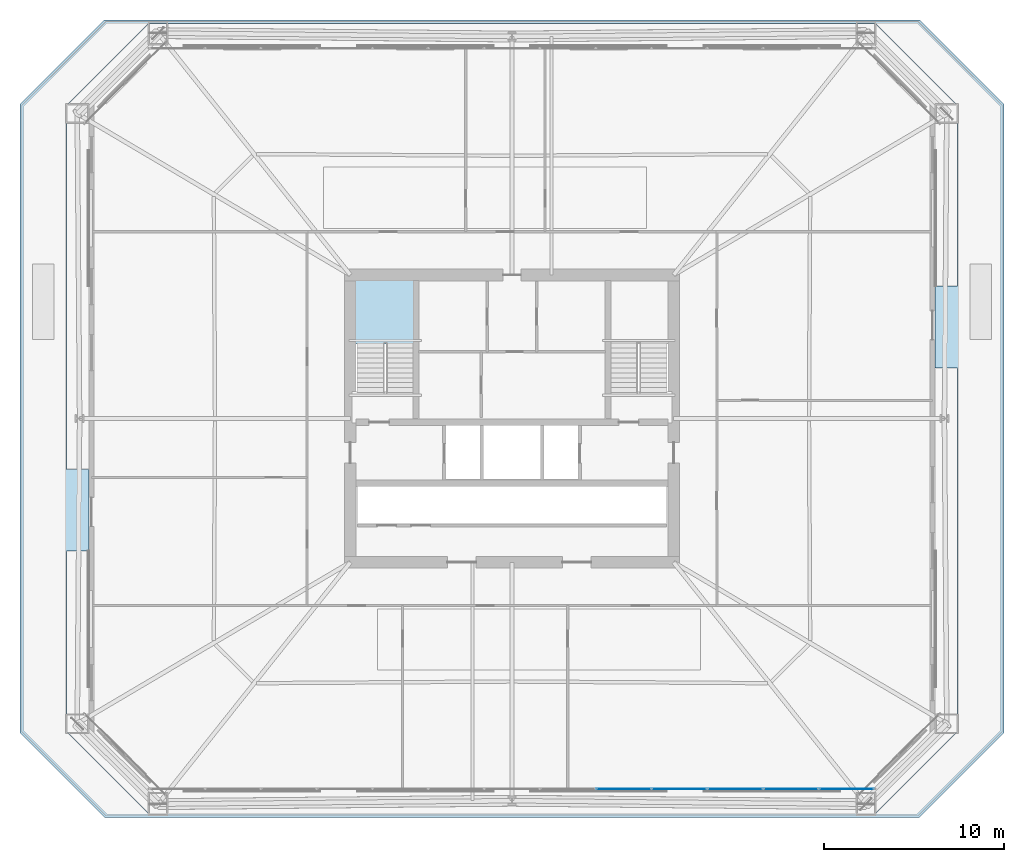
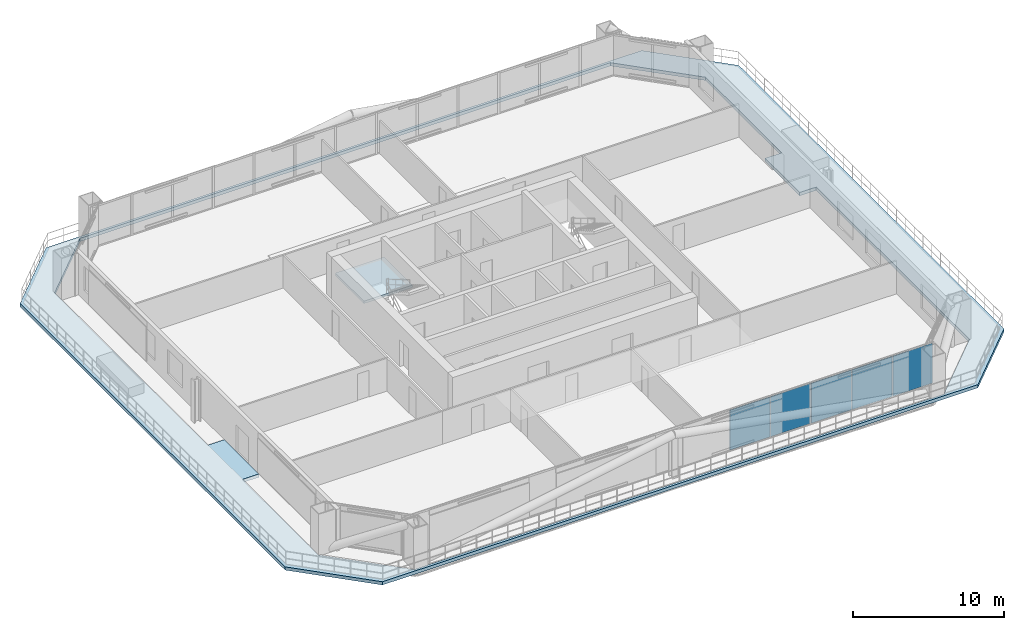
# One storey, part 27 of 34: 5 plates, 2 slabs, 2 elements without a shape of their own.
"""IFC4 building model written with IfcOpenShell, lengths in metres."""

from ifc_helpers import new_model, si_unit, direction, frame, origin, origin_2d, place, context, subcontext, project, spatial, polyline, rectangle, outline, extrude, material, layer, layer_set, type_object, element, aggregate, save


model = new_model("IFC4")

# Units and contexts
model_context = context("Model", 3, precision=1e-05, world=origin(), true_north=direction((0.0, 1.0)))
body_context = subcontext(model_context, "Body", "Model", "MODEL_VIEW")
ifc_project = project(units=[si_unit("LENGTHUNIT", "METRE"), si_unit("AREAUNIT", "SQUARE_METRE"), si_unit("VOLUMEUNIT", "CUBIC_METRE"), si_unit("PLANEANGLEUNIT", "RADIAN"), si_unit("MASSUNIT", "GRAM", prefix="KILO")], contexts=[model_context])

# Site, building, storey
site_placement = place(None, origin())
site = spatial("IfcSite", under=ifc_project, at=site_placement, CompositionType="ELEMENT")
building_placement = place(site_placement, origin())
building = spatial("IfcBuilding", under=site, at=building_placement, Name="Caelvoria Tower", CompositionType="ELEMENT")
storey_placement = place(building_placement, frame((0.0, 0.0, 28.0)))
storey = spatial("IfcBuildingStorey", under=building, at=storey_placement, Name="L06", CompositionType="ELEMENT", Elevation=28.0)

# Curtain wall, plates
ifc_material_1 = material(Name="Anodised Bronze Aluminium and Low-E Glass", Category="aluminium")
ifc_layer_1 = layer(ifc_material_1, 0.18505859375, Name="Anodised Bronze Aluminium and Low-E Glass")
ifc_layer_set_1 = layer_set([ifc_layer_1], Name="CW System 2 Lower Tower Bronze Unitised Facade - Anodised Bronze Aluminium and Low-E Glass")
curtain_wall_type = type_object("IfcCurtainWallType", Name="CW System 2 Lower Tower Bronze Unitised Facade", PredefinedType="NOTDEFINED", material=ifc_layer_set_1)
curtain_wall_placement = place(storey_placement, origin())
curtain_wall = element("IfcCurtainWall", 1, at=curtain_wall_placement, inside=storey, type_object=curtain_wall_type, Name="CW-02 Curtain Wall L06-E0", PredefinedType="NOTDEFINED")
ifc_material_2 = material(Name="Anodised Bronze Insulated Aluminium Panel", Category="aluminium")
ifc_layer_2 = layer(ifc_material_2, 0.031982421875, Name="Anodised Bronze Insulated Aluminium Panel")
ifc_layer_set_2 = layer_set([ifc_layer_2], Name="Insulated Bronze Spandrel Curtain Panel 32 - Anodised Bronze Insulated Aluminium Panel")
plate_type = type_object("IfcPlateType", Name="Insulated Bronze Spandrel Curtain Panel 32", PredefinedType="CURTAIN_PANEL", material=ifc_layer_set_2)
plate_1_placement = place(storey_placement, frame((52.21533203125, 11.3798828125, 0.06494140625), z_axis=(0.0, 0.0, 1.0), x_axis=(1.0, 0.0, 0.0)))
plate_1 = element("IfcPlate", 2, at=plate_1_placement, type_object=plate_type, Name="CW-02 panel 9.1", PredefinedType="CURTAIN_PANEL", context=body_context, shape_type="SweptSolid", body=[
    extrude(rectangle(XDim=3.042724609375, YDim=0.031982421875, at=origin_2d()), origin(), (0.0, 0.0, 1.0), 3.22998046875),
])
plate_2_placement = place(storey_placement, frame((55.322998046875, 11.3798828125, 0.06494140625), z_axis=(0.0, 0.0, 1.0), x_axis=(1.0, 0.0, 0.0)))
plate_2 = element("IfcPlate", 3, at=plate_2_placement, type_object=plate_type, Name="CW-02 panel 10.1", PredefinedType="CURTAIN_PANEL", context=body_context, shape_type="SweptSolid", body=[
    extrude(rectangle(XDim=3.042724609375, YDim=0.031982421875, at=origin_2d()), origin(), (0.0, 0.0, 1.0), 3.22998046875),
])
plate_3_placement = place(storey_placement, frame((58.4306640625, 11.3798828125, 0.06494140625), z_axis=(0.0, 0.0, 1.0), x_axis=(1.0, 0.0, 0.0)))
plate_3 = element("IfcPlate", 4, at=plate_3_placement, type_object=plate_type, Name="CW-02 panel 11.1", PredefinedType="CURTAIN_PANEL", context=body_context, shape_type="SweptSolid", body=[
    extrude(rectangle(XDim=3.042724609375, YDim=0.031982421875, at=origin_2d()), origin(), (0.0, 0.0, 1.0), 3.22998046875),
])
plate_4_placement = place(storey_placement, frame((61.53857421875, 11.3798828125, 0.06494140625), z_axis=(0.0, 0.0, 1.0), x_axis=(1.0, 0.0, 0.0)))
plate_4 = element("IfcPlate", 5, at=plate_4_placement, type_object=plate_type, Name="CW-02 panel 12.1", PredefinedType="CURTAIN_PANEL", context=body_context, shape_type="SweptSolid", body=[
    extrude(rectangle(XDim=3.042724609375, YDim=0.031982421875, at=origin_2d()), origin(), (0.0, 0.0, 1.0), 3.22998046875),
])
plate_5_placement = place(storey_placement, frame((64.6298828125, 11.3798828125, 0.06494140625), z_axis=(0.0, 0.0, 1.0), x_axis=(1.0, 0.0, 0.0)))
plate_5 = element("IfcPlate", 6, at=plate_5_placement, type_object=plate_type, Name="CW-02 panel 13.1", PredefinedType="CURTAIN_PANEL", context=body_context, shape_type="SweptSolid", body=[
    extrude(rectangle(XDim=3.01025390625, YDim=0.031982421875, at=origin_2d()), origin(), (0.0, 0.0, 1.0), 3.22998046875),
])
aggregate(curtain_wall, [plate_1, plate_2, plate_3, plate_4, plate_5])

# Stair, slab
ifc_material_3 = material(Name="Concrete C40/50", Category="concrete")
stair_type = type_object("IfcStairType", Name="Core Smokeproof Dogleg Stair Concrete C40/50", PredefinedType="HALF_TURN_STAIR", material=ifc_material_3)
stair_placement = place(storey_placement, origin())
stair = element("IfcStair", 7, at=stair_placement, inside=storey, type_object=stair_type, Name="ST-01 Smokeproof Exit Stair L06", PredefinedType="HALF_TURN_STAIR")
ifc_layer_3 = layer(ifc_material_3, 0.199951171875, Name="Concrete C40/50")
ifc_layer_set_3 = layer_set([ifc_layer_3], Name="Stair Half and Floor Landing Slab 200 Concrete C40/50 - Concrete C40/50")
slab_type_1 = type_object("IfcSlabType", Name="Stair Half and Floor Landing Slab 200 Concrete C40/50", PredefinedType="LANDING", material=ifc_layer_set_3)
slab_1_placement = place(storey_placement, frame((0.0, 0.0, 1.60009765625)))
slab_1 = element("IfcSlab", 8, at=slab_1_placement, type_object=slab_type_1, Name="ST-01 landing 2", PredefinedType="LANDING", context=body_context, shape_type="SweptSolid", body=[
    extrude(outline(polyline([(37.10009765625, 36.14990234375), (40.800048828125, 36.14990234375), (40.800048828125, 39.89990234375), (37.10009765625, 39.89990234375), (37.10009765625, 36.14990234375)])), origin(), (0.0, 0.0, 1.0), 0.199951171875),
])
aggregate(stair, [slab_1])

# Slab
ifc_layer_4 = layer(ifc_material_3, 0.260009765625, Name="Concrete C40/50")
ifc_layer_set_4 = layer_set([ifc_layer_4], Name="Terraced Podium Roof Garden Slab 260 - Concrete C40/50")
slab_type_2 = type_object("IfcSlabType", Name="Terraced Podium Roof Garden Slab 260", PredefinedType="ROOF", material=ifc_layer_set_4)
slab_2_placement = place(storey_placement, frame((0.0, 0.0, -0.260009765625)))
element("IfcSlab", 9, at=slab_2_placement, inside=storey, type_object=slab_type_2, Name="Level L06 Terraced Podium Roof Deck", PredefinedType="ROOF", context=body_context, shape_type="SweptSolid", body=[
    extrude(outline(polyline([(23.300048828125, 9.800048828125), (68.699951171875, 9.800048828125), (73.39990234375, 14.5), (73.39990234375, 49.5), (68.699951171875, 54.199951171875), (23.300048828125, 54.199951171875), (18.60009765625, 49.5), (18.60009765625, 14.5), (23.300048828125, 9.800048828125)]), holes=[polyline([(25.78662109375, 54.0146484375), (66.21337890625, 54.0146484375), (70.81640625, 49.41162109375), (70.81640625, 39.3798828125), (69.56005859375, 39.3798828125), (69.56005859375, 34.820068359375), (70.81640625, 34.820068359375), (70.81640625, 14.58837890625), (66.21337890625, 9.9853515625), (25.78662109375, 9.9853515625), (21.18359375, 14.58837890625), (21.18359375, 24.6201171875), (22.43994140625, 24.6201171875), (22.43994140625, 29.179931640625), (21.18359375, 29.179931640625), (21.18359375, 49.41162109375), (25.78662109375, 54.0146484375)])]), origin(), (0.0, 0.0, 1.0), 0.260009765625),
])

save(model, "model.ifc")
